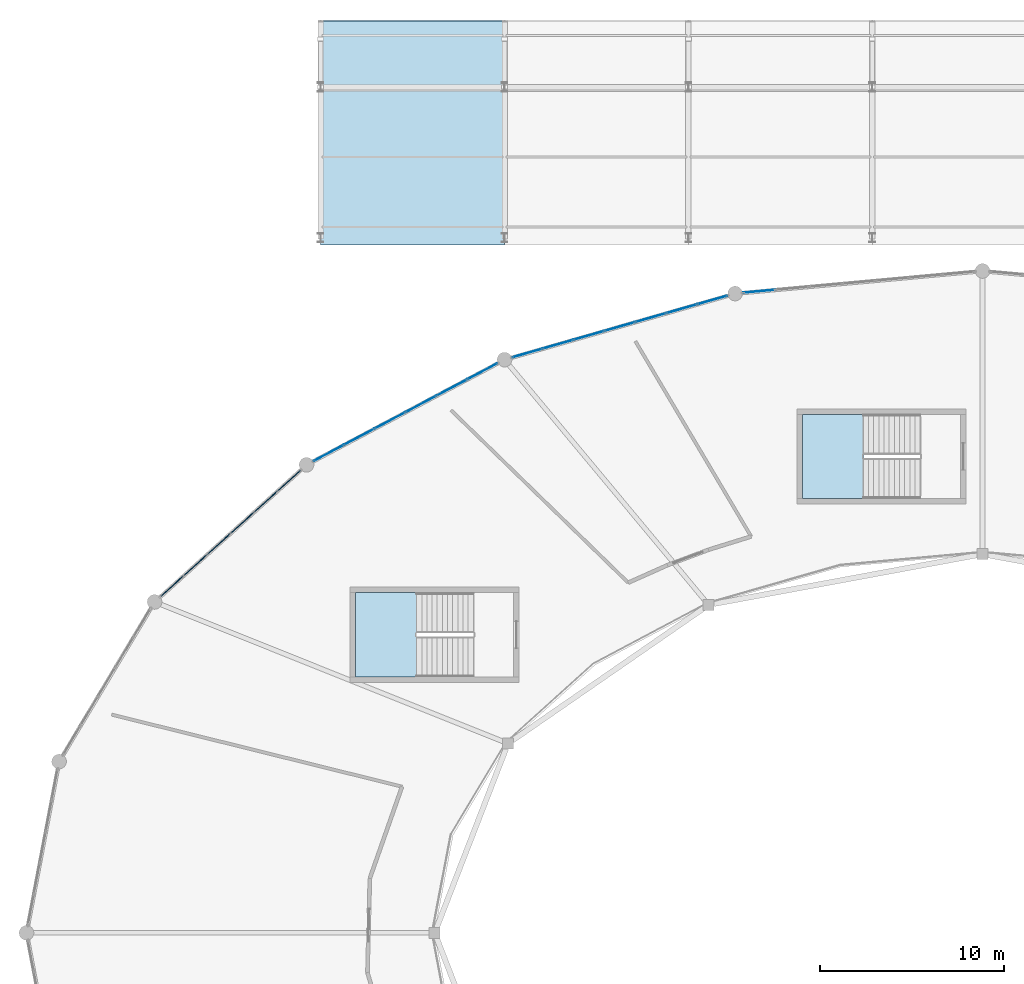
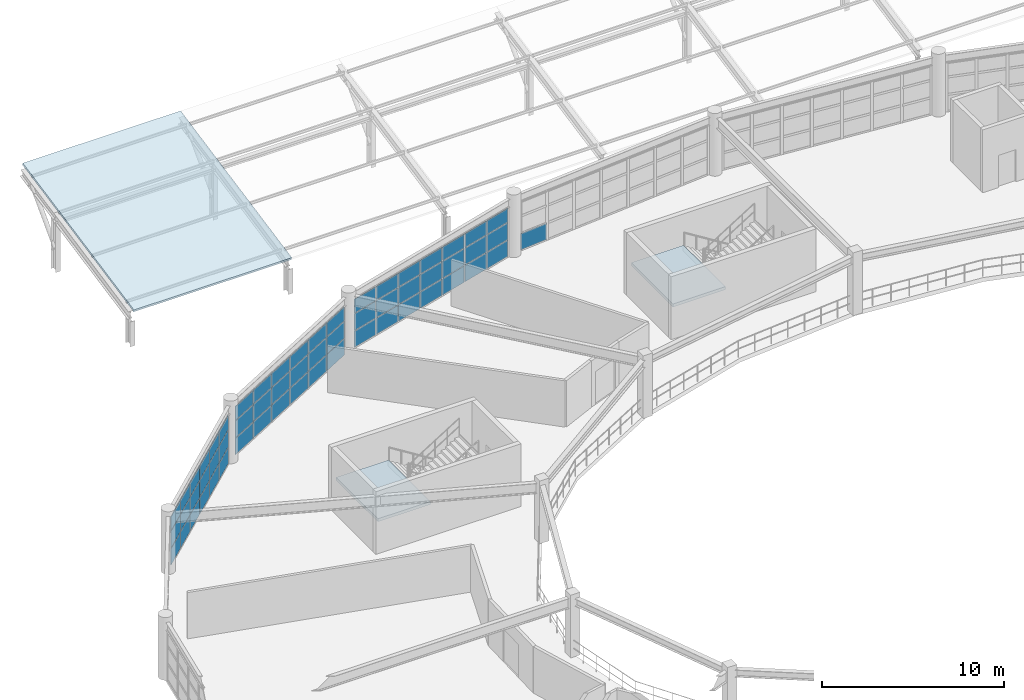
# One storey, part 66 of 100: 58 plates, 3 slabs, 7 elements without a shape of their own.
"""IFC4 building model written with IfcOpenShell, lengths in metres."""

from ifc_helpers import new_model, si_unit, direction, frame, origin, origin_2d, place, context, subcontext, project, spatial, polyline, rectangle, outline, extrude, material, layer, layer_set, type_object, element, aggregate, save


model = new_model("IFC4")

# Units and contexts
model_context = context("Model", 3, precision=1e-05, world=origin(), true_north=direction((0.0, 1.0)))
body_context = subcontext(model_context, "Body", "Model", "MODEL_VIEW")
ifc_project = project(units=[si_unit("LENGTHUNIT", "METRE"), si_unit("AREAUNIT", "SQUARE_METRE"), si_unit("VOLUMEUNIT", "CUBIC_METRE"), si_unit("PLANEANGLEUNIT", "RADIAN"), si_unit("MASSUNIT", "GRAM", prefix="KILO")], contexts=[model_context])

# Site, building, storey
site_placement = place(None, origin())
site = spatial("IfcSite", under=ifc_project, at=site_placement, CompositionType="ELEMENT")
building_placement = place(site_placement, origin())
building = spatial("IfcBuilding", under=site, at=building_placement, Name="Kivolera Central Railway Station", CompositionType="ELEMENT")
storey_placement = place(building_placement, frame((0.0, 0.0, 5.39990234375)))
storey = spatial("IfcBuildingStorey", under=building, at=storey_placement, Name="L01", CompositionType="ELEMENT", Elevation=5.39990234375)

# Curtain wall, plate
ifc_material_1 = material(Name="Anodised aluminium", Category="aluminium")
ifc_layer_1 = layer(ifc_material_1, 0.179931640625, Name="Anodised aluminium")
ifc_layer_set_1 = layer_set([ifc_layer_1], Name="Anodised aluminium")
curtain_wall_type_1 = type_object("IfcCurtainWallType", Name="CW-SYS-12", PredefinedType="NOTDEFINED", material=ifc_layer_set_1)
curtain_wall_1_placement = place(storey_placement, origin())
curtain_wall_1 = element("IfcCurtainWall", 1, at=curtain_wall_1_placement, inside=storey, type_object=curtain_wall_type_1, Name="L01 Curtain Wall CW-L01-OVL-06", PredefinedType="NOTDEFINED")
ifc_material_2 = material(Name="Double low-E laminated glass", Category="glass")
ifc_layer_2 = layer(ifc_material_2, 0.030029296875, Name="Double low-E laminated glass")
ifc_layer_set_2 = layer_set([ifc_layer_2], Name="Double low-E laminated glass")
plate_type_1 = type_object("IfcPlateType", Name="CWP-GLZ-2", PredefinedType="CURTAIN_PANEL", material=ifc_layer_set_2)
plate_1_placement = place(storey_placement, frame((51.86083984375, 124.89306640625, 0.05810546875), z_axis=(0.0, 0.0, 1.0), x_axis=(0.995866087555, 0.090833560193, 0.0)))
plate_1 = element("IfcPlate", 2, at=plate_1_placement, type_object=plate_type_1, Name="CW-12 panel 1.1", PredefinedType="CURTAIN_PANEL", context=body_context, shape_type="SweptSolid", body=[
    extrude(rectangle(XDim=1.735595703125, YDim=0.030029296875, at=origin_2d()), origin(), (0.0, 0.0, 1.0), 1.087890625),
])
aggregate(curtain_wall_1, [plate_1])

# Curtain wall, plates
ifc_layer_3 = layer(ifc_material_1, 0.179931640625, Name="Anodised aluminium")
ifc_layer_set_3 = layer_set([ifc_layer_3], Name="Anodised aluminium")
curtain_wall_type_2 = type_object("IfcCurtainWallType", Name="CW-SYS-10", PredefinedType="NOTDEFINED", material=ifc_layer_set_3)
curtain_wall_2_placement = place(storey_placement, origin())
curtain_wall_2 = element("IfcCurtainWall", 3, at=curtain_wall_2_placement, inside=storey, type_object=curtain_wall_type_2, Name="L01 Curtain Wall CW-L01-OVL-07", PredefinedType="NOTDEFINED")
ifc_layer_4 = layer(ifc_material_2, 0.033935546875, Name="Double low-E laminated glass")
ifc_layer_set_4 = layer_set([ifc_layer_4], Name="Double low-E laminated glass")
plate_type_2 = type_object("IfcPlateType", Name="CWP-GLZ-3", PredefinedType="CURTAIN_PANEL", material=ifc_layer_set_4)
plate_2_placement = place(storey_placement, frame((39.24267578125, 121.532958984375, 0.05810546875), z_axis=(0.0, 0.0, 1.0), x_axis=(0.961246112288, 0.275691696668, 0.0)))
plate_2 = element("IfcPlate", 4, at=plate_2_placement, type_object=plate_type_2, Name="CW-10 panel 1.1", PredefinedType="CURTAIN_PANEL", context=body_context, shape_type="SweptSolid", body=[
    extrude(rectangle(XDim=1.66845703125, YDim=0.033935546875, at=origin_2d()), origin(), (0.0, 0.0, 1.0), 1.087890625),
])
plate_3_placement = place(storey_placement, frame((39.24267578125, 121.532958984375, 1.192138671875), z_axis=(0.0, 0.0, 1.0), x_axis=(0.961246112288, 0.275691696668, 0.0)))
plate_3 = element("IfcPlate", 5, at=plate_3_placement, type_object=plate_type_2, Name="CW-10 panel 1.2", PredefinedType="CURTAIN_PANEL", context=body_context, shape_type="SweptSolid", body=[
    extrude(rectangle(XDim=1.66845703125, YDim=0.033935546875, at=origin_2d()), origin(), (0.0, 0.0, 1.0), 1.123046875),
])
plate_4_placement = place(storey_placement, frame((39.24267578125, 121.532958984375, 2.361083984375), z_axis=(0.0, 0.0, 1.0), x_axis=(0.961246112288, 0.275691696668, 0.0)))
plate_4 = element("IfcPlate", 6, at=plate_4_placement, type_object=plate_type_2, Name="CW-10 panel 1.3", PredefinedType="CURTAIN_PANEL", context=body_context, shape_type="SweptSolid", body=[
    extrude(rectangle(XDim=1.66845703125, YDim=0.033935546875, at=origin_2d()), origin(), (0.0, 0.0, 1.0), 0.9208984375),
])
plate_5_placement = place(storey_placement, frame((40.907470703125, 122.010498046875, 0.05810546875), z_axis=(0.0, 0.0, 1.0), x_axis=(0.961246112288, 0.275691696668, 0.0)))
plate_5 = element("IfcPlate", 7, at=plate_5_placement, type_object=plate_type_2, Name="CW-10 panel 2.1", PredefinedType="CURTAIN_PANEL", context=body_context, shape_type="SweptSolid", body=[
    extrude(rectangle(XDim=1.703369140625, YDim=0.033935546875, at=origin_2d()), origin(), (0.0, 0.0, 1.0), 1.087890625),
])
plate_6_placement = place(storey_placement, frame((40.907470703125, 122.010498046875, 1.192138671875), z_axis=(0.0, 0.0, 1.0), x_axis=(0.961246112288, 0.275691696668, 0.0)))
plate_6 = element("IfcPlate", 8, at=plate_6_placement, type_object=plate_type_2, Name="CW-10 panel 2.2", PredefinedType="CURTAIN_PANEL", context=body_context, shape_type="SweptSolid", body=[
    extrude(rectangle(XDim=1.703369140625, YDim=0.033935546875, at=origin_2d()), origin(), (0.0, 0.0, 1.0), 1.123046875),
])
plate_7_placement = place(storey_placement, frame((40.907470703125, 122.010498046875, 2.361083984375), z_axis=(0.0, 0.0, 1.0), x_axis=(0.961246112288, 0.275691696668, 0.0)))
plate_7 = element("IfcPlate", 9, at=plate_7_placement, type_object=plate_type_2, Name="CW-10 panel 2.3", PredefinedType="CURTAIN_PANEL", context=body_context, shape_type="SweptSolid", body=[
    extrude(rectangle(XDim=1.703369140625, YDim=0.033935546875, at=origin_2d()), origin(), (0.0, 0.0, 1.0), 0.9208984375),
])
plate_8_placement = place(storey_placement, frame((42.5888671875, 122.49267578125, 0.05810546875), z_axis=(0.0, 0.0, 1.0), x_axis=(0.961246112288, 0.275691696668, 0.0)))
plate_8 = element("IfcPlate", 10, at=plate_8_placement, type_object=plate_type_2, Name="CW-10 panel 3.1", PredefinedType="CURTAIN_PANEL", context=body_context, shape_type="SweptSolid", body=[
    extrude(rectangle(XDim=1.703369140625, YDim=0.033935546875, at=origin_2d()), origin(), (0.0, 0.0, 1.0), 1.087890625),
])
plate_9_placement = place(storey_placement, frame((42.5888671875, 122.49267578125, 1.192138671875), z_axis=(0.0, 0.0, 1.0), x_axis=(0.961246112288, 0.275691696668, 0.0)))
plate_9 = element("IfcPlate", 11, at=plate_9_placement, type_object=plate_type_2, Name="CW-10 panel 3.2", PredefinedType="CURTAIN_PANEL", context=body_context, shape_type="SweptSolid", body=[
    extrude(rectangle(XDim=1.703369140625, YDim=0.033935546875, at=origin_2d()), origin(), (0.0, 0.0, 1.0), 1.123046875),
])
plate_10_placement = place(storey_placement, frame((42.5888671875, 122.49267578125, 2.361083984375), z_axis=(0.0, 0.0, 1.0), x_axis=(0.961246112288, 0.275691696668, 0.0)))
plate_10 = element("IfcPlate", 12, at=plate_10_placement, type_object=plate_type_2, Name="CW-10 panel 3.3", PredefinedType="CURTAIN_PANEL", context=body_context, shape_type="SweptSolid", body=[
    extrude(rectangle(XDim=1.703369140625, YDim=0.033935546875, at=origin_2d()), origin(), (0.0, 0.0, 1.0), 0.9208984375),
])
plate_11_placement = place(storey_placement, frame((44.2705078125, 122.97509765625, 0.05810546875), z_axis=(0.0, 0.0, 1.0), x_axis=(0.961246112288, 0.275691696668, 0.0)))
plate_11 = element("IfcPlate", 13, at=plate_11_placement, type_object=plate_type_2, Name="CW-10 panel 4.1", PredefinedType="CURTAIN_PANEL", context=body_context, shape_type="SweptSolid", body=[
    extrude(rectangle(XDim=1.703369140625, YDim=0.033935546875, at=origin_2d()), origin(), (0.0, 0.0, 1.0), 1.087890625),
])
plate_12_placement = place(storey_placement, frame((44.2705078125, 122.97509765625, 1.192138671875), z_axis=(0.0, 0.0, 1.0), x_axis=(0.961246112288, 0.275691696668, 0.0)))
plate_12 = element("IfcPlate", 14, at=plate_12_placement, type_object=plate_type_2, Name="CW-10 panel 4.2", PredefinedType="CURTAIN_PANEL", context=body_context, shape_type="SweptSolid", body=[
    extrude(rectangle(XDim=1.703369140625, YDim=0.033935546875, at=origin_2d()), origin(), (0.0, 0.0, 1.0), 1.123046875),
])
plate_13_placement = place(storey_placement, frame((44.2705078125, 122.97509765625, 2.361083984375), z_axis=(0.0, 0.0, 1.0), x_axis=(0.961246112288, 0.275691696668, 0.0)))
plate_13 = element("IfcPlate", 15, at=plate_13_placement, type_object=plate_type_2, Name="CW-10 panel 4.3", PredefinedType="CURTAIN_PANEL", context=body_context, shape_type="SweptSolid", body=[
    extrude(rectangle(XDim=1.703369140625, YDim=0.033935546875, at=origin_2d()), origin(), (0.0, 0.0, 1.0), 0.9208984375),
])
plate_14_placement = place(storey_placement, frame((45.9521484375, 123.457275390625, 0.05810546875), z_axis=(0.0, 0.0, 1.0), x_axis=(0.961246112288, 0.275691696668, 0.0)))
plate_14 = element("IfcPlate", 16, at=plate_14_placement, type_object=plate_type_2, Name="CW-10 panel 5.1", PredefinedType="CURTAIN_PANEL", context=body_context, shape_type="SweptSolid", body=[
    extrude(rectangle(XDim=1.703369140625, YDim=0.033935546875, at=origin_2d()), origin(), (0.0, 0.0, 1.0), 1.087890625),
])
plate_15_placement = place(storey_placement, frame((45.9521484375, 123.457275390625, 1.192138671875), z_axis=(0.0, 0.0, 1.0), x_axis=(0.961246112288, 0.275691696668, 0.0)))
plate_15 = element("IfcPlate", 17, at=plate_15_placement, type_object=plate_type_2, Name="CW-10 panel 5.2", PredefinedType="CURTAIN_PANEL", context=body_context, shape_type="SweptSolid", body=[
    extrude(rectangle(XDim=1.703369140625, YDim=0.033935546875, at=origin_2d()), origin(), (0.0, 0.0, 1.0), 1.123046875),
])
plate_16_placement = place(storey_placement, frame((45.9521484375, 123.457275390625, 2.361083984375), z_axis=(0.0, 0.0, 1.0), x_axis=(0.961246112288, 0.275691696668, 0.0)))
plate_16 = element("IfcPlate", 18, at=plate_16_placement, type_object=plate_type_2, Name="CW-10 panel 5.3", PredefinedType="CURTAIN_PANEL", context=body_context, shape_type="SweptSolid", body=[
    extrude(rectangle(XDim=1.703369140625, YDim=0.033935546875, at=origin_2d()), origin(), (0.0, 0.0, 1.0), 0.9208984375),
])
plate_17_placement = place(storey_placement, frame((47.633544921875, 123.939453125, 0.05810546875), z_axis=(0.0, 0.0, 1.0), x_axis=(0.961246112288, 0.275691696668, 0.0)))
plate_17 = element("IfcPlate", 19, at=plate_17_placement, type_object=plate_type_2, Name="CW-10 panel 6.1", PredefinedType="CURTAIN_PANEL", context=body_context, shape_type="SweptSolid", body=[
    extrude(rectangle(XDim=1.703369140625, YDim=0.033935546875, at=origin_2d()), origin(), (0.0, 0.0, 1.0), 1.087890625),
])
plate_18_placement = place(storey_placement, frame((47.633544921875, 123.939453125, 1.192138671875), z_axis=(0.0, 0.0, 1.0), x_axis=(0.961246112288, 0.275691696668, 0.0)))
plate_18 = element("IfcPlate", 20, at=plate_18_placement, type_object=plate_type_2, Name="CW-10 panel 6.2", PredefinedType="CURTAIN_PANEL", context=body_context, shape_type="SweptSolid", body=[
    extrude(rectangle(XDim=1.703369140625, YDim=0.033935546875, at=origin_2d()), origin(), (0.0, 0.0, 1.0), 1.123046875),
])
plate_19_placement = place(storey_placement, frame((47.633544921875, 123.939453125, 2.361083984375), z_axis=(0.0, 0.0, 1.0), x_axis=(0.961246112288, 0.275691696668, 0.0)))
plate_19 = element("IfcPlate", 21, at=plate_19_placement, type_object=plate_type_2, Name="CW-10 panel 6.3", PredefinedType="CURTAIN_PANEL", context=body_context, shape_type="SweptSolid", body=[
    extrude(rectangle(XDim=1.703369140625, YDim=0.033935546875, at=origin_2d()), origin(), (0.0, 0.0, 1.0), 0.9208984375),
])
plate_20_placement = place(storey_placement, frame((49.29833984375, 124.4169921875, 0.05810546875), z_axis=(0.0, 0.0, 1.0), x_axis=(0.961246112288, 0.275691696668, 0.0)))
plate_20 = element("IfcPlate", 22, at=plate_20_placement, type_object=plate_type_2, Name="CW-10 panel 7.1", PredefinedType="CURTAIN_PANEL", context=body_context, shape_type="SweptSolid", body=[
    extrude(rectangle(XDim=1.66845703125, YDim=0.033935546875, at=origin_2d()), origin(), (0.0, 0.0, 1.0), 1.087890625),
])
plate_21_placement = place(storey_placement, frame((49.29833984375, 124.4169921875, 1.192138671875), z_axis=(0.0, 0.0, 1.0), x_axis=(0.961246112288, 0.275691696668, 0.0)))
plate_21 = element("IfcPlate", 23, at=plate_21_placement, type_object=plate_type_2, Name="CW-10 panel 7.2", PredefinedType="CURTAIN_PANEL", context=body_context, shape_type="SweptSolid", body=[
    extrude(rectangle(XDim=1.66845703125, YDim=0.033935546875, at=origin_2d()), origin(), (0.0, 0.0, 1.0), 1.123046875),
])
plate_22_placement = place(storey_placement, frame((49.29833984375, 124.4169921875, 2.361083984375), z_axis=(0.0, 0.0, 1.0), x_axis=(0.961246112288, 0.275691696668, 0.0)))
plate_22 = element("IfcPlate", 24, at=plate_22_placement, type_object=plate_type_2, Name="CW-10 panel 7.3", PredefinedType="CURTAIN_PANEL", context=body_context, shape_type="SweptSolid", body=[
    extrude(rectangle(XDim=1.66845703125, YDim=0.033935546875, at=origin_2d()), origin(), (0.0, 0.0, 1.0), 0.9208984375),
])
aggregate(curtain_wall_2, [plate_2, plate_3, plate_4, plate_5, plate_6, plate_7, plate_8, plate_9, plate_10, plate_11, plate_12, plate_13, plate_14, plate_15, plate_16, plate_17, plate_18, plate_19, plate_20, plate_21, plate_22])

ifc_layer_5 = layer(ifc_material_1, 0.179931640625, Name="Anodised aluminium")
ifc_layer_set_5 = layer_set([ifc_layer_5], Name="Anodised aluminium")
curtain_wall_type_3 = type_object("IfcCurtainWallType", Name="CW-SYS-08", PredefinedType="NOTDEFINED", material=ifc_layer_set_5)
curtain_wall_3_placement = place(storey_placement, origin())
curtain_wall_3 = element("IfcCurtainWall", 25, at=curtain_wall_3_placement, inside=storey, type_object=curtain_wall_type_3, Name="L01 Curtain Wall CW-L01-OVL-08", PredefinedType="NOTDEFINED")
ifc_layer_6 = layer(ifc_material_2, 0.0380859375, Name="Double low-E laminated glass")
ifc_layer_set_6 = layer_set([ifc_layer_6], Name="Double low-E laminated glass")
plate_type_3 = type_object("IfcPlateType", Name="CWP-GLZ-4", PredefinedType="CURTAIN_PANEL", material=ifc_layer_set_6)
plate_23_placement = place(storey_placement, frame((28.43701171875, 116.09765625, 0.05810546875), z_axis=(0.0, 0.0, 1.0), x_axis=(0.883170250772, 0.46905256438, 0.0)))
plate_23 = element("IfcPlate", 26, at=plate_23_placement, type_object=plate_type_3, Name="CW-08 panel 1.1", PredefinedType="CURTAIN_PANEL", context=body_context, shape_type="SweptSolid", body=[
    extrude(rectangle(XDim=1.818115234375, YDim=0.0380859375, at=origin_2d()), origin(), (0.0, 0.0, 1.0), 1.087890625),
])
plate_24_placement = place(storey_placement, frame((28.43701171875, 116.09765625, 1.192138671875), z_axis=(0.0, 0.0, 1.0), x_axis=(0.883170250772, 0.46905256438, 0.0)))
plate_24 = element("IfcPlate", 27, at=plate_24_placement, type_object=plate_type_3, Name="CW-08 panel 1.2", PredefinedType="CURTAIN_PANEL", context=body_context, shape_type="SweptSolid", body=[
    extrude(rectangle(XDim=1.818115234375, YDim=0.0380859375, at=origin_2d()), origin(), (0.0, 0.0, 1.0), 1.123046875),
])
plate_25_placement = place(storey_placement, frame((28.43701171875, 116.09765625, 2.361083984375), z_axis=(0.0, 0.0, 1.0), x_axis=(0.883170250772, 0.46905256438, 0.0)))
plate_25 = element("IfcPlate", 28, at=plate_25_placement, type_object=plate_type_3, Name="CW-08 panel 1.3", PredefinedType="CURTAIN_PANEL", context=body_context, shape_type="SweptSolid", body=[
    extrude(rectangle(XDim=1.818115234375, YDim=0.0380859375, at=origin_2d()), origin(), (0.0, 0.0, 1.0), 0.9208984375),
])
plate_26_placement = place(storey_placement, frame((30.09912109375, 116.980224609375, 0.05810546875), z_axis=(0.0, 0.0, 1.0), x_axis=(0.883170250772, 0.46905256438, 0.0)))
plate_26 = element("IfcPlate", 29, at=plate_26_placement, type_object=plate_type_3, Name="CW-08 panel 2.1", PredefinedType="CURTAIN_PANEL", context=body_context, shape_type="SweptSolid", body=[
    extrude(rectangle(XDim=1.853271484375, YDim=0.0380859375, at=origin_2d()), origin(), (0.0, 0.0, 1.0), 1.087890625),
])
plate_27_placement = place(storey_placement, frame((30.09912109375, 116.980224609375, 1.192138671875), z_axis=(0.0, 0.0, 1.0), x_axis=(0.883170250772, 0.46905256438, 0.0)))
plate_27 = element("IfcPlate", 30, at=plate_27_placement, type_object=plate_type_3, Name="CW-08 panel 2.2", PredefinedType="CURTAIN_PANEL", context=body_context, shape_type="SweptSolid", body=[
    extrude(rectangle(XDim=1.853271484375, YDim=0.0380859375, at=origin_2d()), origin(), (0.0, 0.0, 1.0), 1.123046875),
])
plate_28_placement = place(storey_placement, frame((30.09912109375, 116.980224609375, 2.361083984375), z_axis=(0.0, 0.0, 1.0), x_axis=(0.883170250772, 0.46905256438, 0.0)))
plate_28 = element("IfcPlate", 31, at=plate_28_placement, type_object=plate_type_3, Name="CW-08 panel 2.3", PredefinedType="CURTAIN_PANEL", context=body_context, shape_type="SweptSolid", body=[
    extrude(rectangle(XDim=1.853271484375, YDim=0.0380859375, at=origin_2d()), origin(), (0.0, 0.0, 1.0), 0.9208984375),
])
plate_29_placement = place(storey_placement, frame((31.7763671875, 117.87109375, 0.05810546875), z_axis=(0.0, 0.0, 1.0), x_axis=(0.883170250772, 0.46905256438, 0.0)))
plate_29 = element("IfcPlate", 32, at=plate_29_placement, type_object=plate_type_3, Name="CW-08 panel 3.1", PredefinedType="CURTAIN_PANEL", context=body_context, shape_type="SweptSolid", body=[
    extrude(rectangle(XDim=1.853271484375, YDim=0.0380859375, at=origin_2d()), origin(), (0.0, 0.0, 1.0), 1.087890625),
])
plate_30_placement = place(storey_placement, frame((31.7763671875, 117.87109375, 1.192138671875), z_axis=(0.0, 0.0, 1.0), x_axis=(0.883170250772, 0.46905256438, 0.0)))
plate_30 = element("IfcPlate", 33, at=plate_30_placement, type_object=plate_type_3, Name="CW-08 panel 3.2", PredefinedType="CURTAIN_PANEL", context=body_context, shape_type="SweptSolid", body=[
    extrude(rectangle(XDim=1.853271484375, YDim=0.0380859375, at=origin_2d()), origin(), (0.0, 0.0, 1.0), 1.123046875),
])
plate_31_placement = place(storey_placement, frame((31.7763671875, 117.87109375, 2.361083984375), z_axis=(0.0, 0.0, 1.0), x_axis=(0.883170250772, 0.46905256438, 0.0)))
plate_31 = element("IfcPlate", 34, at=plate_31_placement, type_object=plate_type_3, Name="CW-08 panel 3.3", PredefinedType="CURTAIN_PANEL", context=body_context, shape_type="SweptSolid", body=[
    extrude(rectangle(XDim=1.853271484375, YDim=0.0380859375, at=origin_2d()), origin(), (0.0, 0.0, 1.0), 0.9208984375),
])
plate_32_placement = place(storey_placement, frame((33.45361328125, 118.761962890625, 0.05810546875), z_axis=(0.0, 0.0, 1.0), x_axis=(0.883170250772, 0.46905256438, 0.0)))
plate_32 = element("IfcPlate", 35, at=plate_32_placement, type_object=plate_type_3, Name="CW-08 panel 4.1", PredefinedType="CURTAIN_PANEL", context=body_context, shape_type="SweptSolid", body=[
    extrude(rectangle(XDim=1.853271484375, YDim=0.0380859375, at=origin_2d()), origin(), (0.0, 0.0, 1.0), 1.087890625),
])
plate_33_placement = place(storey_placement, frame((33.45361328125, 118.761962890625, 1.192138671875), z_axis=(0.0, 0.0, 1.0), x_axis=(0.883170250772, 0.46905256438, 0.0)))
plate_33 = element("IfcPlate", 36, at=plate_33_placement, type_object=plate_type_3, Name="CW-08 panel 4.2", PredefinedType="CURTAIN_PANEL", context=body_context, shape_type="SweptSolid", body=[
    extrude(rectangle(XDim=1.853271484375, YDim=0.0380859375, at=origin_2d()), origin(), (0.0, 0.0, 1.0), 1.123046875),
])
plate_34_placement = place(storey_placement, frame((33.45361328125, 118.761962890625, 2.361083984375), z_axis=(0.0, 0.0, 1.0), x_axis=(0.883170250772, 0.46905256438, 0.0)))
plate_34 = element("IfcPlate", 37, at=plate_34_placement, type_object=plate_type_3, Name="CW-08 panel 4.3", PredefinedType="CURTAIN_PANEL", context=body_context, shape_type="SweptSolid", body=[
    extrude(rectangle(XDim=1.853271484375, YDim=0.0380859375, at=origin_2d()), origin(), (0.0, 0.0, 1.0), 0.9208984375),
])
plate_35_placement = place(storey_placement, frame((35.131103515625, 119.65283203125, 0.05810546875), z_axis=(0.0, 0.0, 1.0), x_axis=(0.883170250772, 0.46905256438, 0.0)))
plate_35 = element("IfcPlate", 38, at=plate_35_placement, type_object=plate_type_3, Name="CW-08 panel 5.1", PredefinedType="CURTAIN_PANEL", context=body_context, shape_type="SweptSolid", body=[
    extrude(rectangle(XDim=1.853271484375, YDim=0.0380859375, at=origin_2d()), origin(), (0.0, 0.0, 1.0), 1.087890625),
])
plate_36_placement = place(storey_placement, frame((35.131103515625, 119.65283203125, 1.192138671875), z_axis=(0.0, 0.0, 1.0), x_axis=(0.883170250772, 0.46905256438, 0.0)))
plate_36 = element("IfcPlate", 39, at=plate_36_placement, type_object=plate_type_3, Name="CW-08 panel 5.2", PredefinedType="CURTAIN_PANEL", context=body_context, shape_type="SweptSolid", body=[
    extrude(rectangle(XDim=1.853271484375, YDim=0.0380859375, at=origin_2d()), origin(), (0.0, 0.0, 1.0), 1.123046875),
])
plate_37_placement = place(storey_placement, frame((35.131103515625, 119.65283203125, 2.361083984375), z_axis=(0.0, 0.0, 1.0), x_axis=(0.883170250772, 0.46905256438, 0.0)))
plate_37 = element("IfcPlate", 40, at=plate_37_placement, type_object=plate_type_3, Name="CW-08 panel 5.3", PredefinedType="CURTAIN_PANEL", context=body_context, shape_type="SweptSolid", body=[
    extrude(rectangle(XDim=1.853271484375, YDim=0.0380859375, at=origin_2d()), origin(), (0.0, 0.0, 1.0), 0.9208984375),
])
plate_38_placement = place(storey_placement, frame((36.79296875, 120.535400390625, 0.05810546875), z_axis=(0.0, 0.0, 1.0), x_axis=(0.883170250772, 0.46905256438, 0.0)))
plate_38 = element("IfcPlate", 41, at=plate_38_placement, type_object=plate_type_3, Name="CW-08 panel 6.1", PredefinedType="CURTAIN_PANEL", context=body_context, shape_type="SweptSolid", body=[
    extrude(rectangle(XDim=1.818115234375, YDim=0.0380859375, at=origin_2d()), origin(), (0.0, 0.0, 1.0), 1.087890625),
])
plate_39_placement = place(storey_placement, frame((36.79296875, 120.535400390625, 1.192138671875), z_axis=(0.0, 0.0, 1.0), x_axis=(0.883170250772, 0.46905256438, 0.0)))
plate_39 = element("IfcPlate", 42, at=plate_39_placement, type_object=plate_type_3, Name="CW-08 panel 6.2", PredefinedType="CURTAIN_PANEL", context=body_context, shape_type="SweptSolid", body=[
    extrude(rectangle(XDim=1.818115234375, YDim=0.0380859375, at=origin_2d()), origin(), (0.0, 0.0, 1.0), 1.123046875),
])
plate_40_placement = place(storey_placement, frame((36.79296875, 120.535400390625, 2.361083984375), z_axis=(0.0, 0.0, 1.0), x_axis=(0.883170250772, 0.46905256438, 0.0)))
plate_40 = element("IfcPlate", 43, at=plate_40_placement, type_object=plate_type_3, Name="CW-08 panel 6.3", PredefinedType="CURTAIN_PANEL", context=body_context, shape_type="SweptSolid", body=[
    extrude(rectangle(XDim=1.818115234375, YDim=0.0380859375, at=origin_2d()), origin(), (0.0, 0.0, 1.0), 0.9208984375),
])
aggregate(curtain_wall_3, [plate_23, plate_24, plate_25, plate_26, plate_27, plate_28, plate_29, plate_30, plate_31, plate_32, plate_33, plate_34, plate_35, plate_36, plate_37, plate_38, plate_39, plate_40])

ifc_layer_7 = layer(ifc_material_1, 0.179931640625, Name="Anodised aluminium")
ifc_layer_set_7 = layer_set([ifc_layer_7], Name="Anodised aluminium")
curtain_wall_type_4 = type_object("IfcCurtainWallType", Name="CW-SYS-05", PredefinedType="NOTDEFINED", material=ifc_layer_set_7)
curtain_wall_4_placement = place(storey_placement, origin())
curtain_wall_4 = element("IfcCurtainWall", 44, at=curtain_wall_4_placement, inside=storey, type_object=curtain_wall_type_4, Name="L01 Curtain Wall CW-L01-OVL-09", PredefinedType="NOTDEFINED")
ifc_layer_8 = layer(ifc_material_2, 0.0419921875, Name="Double low-E laminated glass")
ifc_layer_set_8 = layer_set([ifc_layer_8], Name="Double low-E laminated glass")
plate_type_4 = type_object("IfcPlateType", Name="CWP-GLZ-5", PredefinedType="CURTAIN_PANEL", material=ifc_layer_set_8)
plate_41_placement = place(storey_placement, frame((19.916015625, 108.8564453125, 0.05810546875), z_axis=(0.0, 0.0, 1.0), x_axis=(0.742431873669, 0.669921572246, 0.0)))
plate_41 = element("IfcPlate", 45, at=plate_41_placement, type_object=plate_type_4, Name="CW-05 panel 1.1", PredefinedType="CURTAIN_PANEL", context=body_context, shape_type="SweptSolid", body=[
    extrude(rectangle(XDim=1.640625, YDim=0.0419921875, at=origin_2d()), origin(), (0.0, 0.0, 1.0), 1.087890625),
])
plate_42_placement = place(storey_placement, frame((19.916015625, 108.8564453125, 1.192138671875), z_axis=(0.0, 0.0, 1.0), x_axis=(0.742431873669, 0.669921572246, 0.0)))
plate_42 = element("IfcPlate", 46, at=plate_42_placement, type_object=plate_type_4, Name="CW-05 panel 1.2", PredefinedType="CURTAIN_PANEL", context=body_context, shape_type="SweptSolid", body=[
    extrude(rectangle(XDim=1.640625, YDim=0.0419921875, at=origin_2d()), origin(), (0.0, 0.0, 1.0), 1.123046875),
])
plate_43_placement = place(storey_placement, frame((19.916015625, 108.8564453125, 2.361083984375), z_axis=(0.0, 0.0, 1.0), x_axis=(0.742431873669, 0.669921572246, 0.0)))
plate_43 = element("IfcPlate", 47, at=plate_43_placement, type_object=plate_type_4, Name="CW-05 panel 1.3", PredefinedType="CURTAIN_PANEL", context=body_context, shape_type="SweptSolid", body=[
    extrude(rectangle(XDim=1.640625, YDim=0.0419921875, at=origin_2d()), origin(), (0.0, 0.0, 1.0), 0.9208984375),
])
plate_44_placement = place(storey_placement, frame((21.18115234375, 109.998046875, 0.05810546875), z_axis=(0.0, 0.0, 1.0), x_axis=(0.742431873669, 0.669921572246, 0.0)))
plate_44 = element("IfcPlate", 48, at=plate_44_placement, type_object=plate_type_4, Name="CW-05 panel 2.1", PredefinedType="CURTAIN_PANEL", context=body_context, shape_type="SweptSolid", body=[
    extrude(rectangle(XDim=1.675537109375, YDim=0.0419921875, at=origin_2d()), origin(), (0.0, 0.0, 1.0), 1.087890625),
])
plate_45_placement = place(storey_placement, frame((21.18115234375, 109.998046875, 1.192138671875), z_axis=(0.0, 0.0, 1.0), x_axis=(0.742431873669, 0.669921572246, 0.0)))
plate_45 = element("IfcPlate", 49, at=plate_45_placement, type_object=plate_type_4, Name="CW-05 panel 2.2", PredefinedType="CURTAIN_PANEL", context=body_context, shape_type="SweptSolid", body=[
    extrude(rectangle(XDim=1.675537109375, YDim=0.0419921875, at=origin_2d()), origin(), (0.0, 0.0, 1.0), 1.123046875),
])
plate_46_placement = place(storey_placement, frame((21.18115234375, 109.998046875, 2.361083984375), z_axis=(0.0, 0.0, 1.0), x_axis=(0.742431873669, 0.669921572246, 0.0)))
plate_46 = element("IfcPlate", 50, at=plate_46_placement, type_object=plate_type_4, Name="CW-05 panel 2.3", PredefinedType="CURTAIN_PANEL", context=body_context, shape_type="SweptSolid", body=[
    extrude(rectangle(XDim=1.675537109375, YDim=0.0419921875, at=origin_2d()), origin(), (0.0, 0.0, 1.0), 0.9208984375),
])
plate_47_placement = place(storey_placement, frame((22.45947265625, 111.1513671875, 0.05810546875), z_axis=(0.0, 0.0, 1.0), x_axis=(0.742431873669, 0.669921572246, 0.0)))
plate_47 = element("IfcPlate", 51, at=plate_47_placement, type_object=plate_type_4, Name="CW-05 panel 3.1", PredefinedType="CURTAIN_PANEL", context=body_context, shape_type="SweptSolid", body=[
    extrude(rectangle(XDim=1.675537109375, YDim=0.0419921875, at=origin_2d()), origin(), (0.0, 0.0, 1.0), 1.087890625),
])
plate_48_placement = place(storey_placement, frame((22.45947265625, 111.1513671875, 1.192138671875), z_axis=(0.0, 0.0, 1.0), x_axis=(0.742431873669, 0.669921572246, 0.0)))
plate_48 = element("IfcPlate", 52, at=plate_48_placement, type_object=plate_type_4, Name="CW-05 panel 3.2", PredefinedType="CURTAIN_PANEL", context=body_context, shape_type="SweptSolid", body=[
    extrude(rectangle(XDim=1.675537109375, YDim=0.0419921875, at=origin_2d()), origin(), (0.0, 0.0, 1.0), 1.123046875),
])
plate_49_placement = place(storey_placement, frame((22.45947265625, 111.1513671875, 2.361083984375), z_axis=(0.0, 0.0, 1.0), x_axis=(0.742431873669, 0.669921572246, 0.0)))
plate_49 = element("IfcPlate", 53, at=plate_49_placement, type_object=plate_type_4, Name="CW-05 panel 3.3", PredefinedType="CURTAIN_PANEL", context=body_context, shape_type="SweptSolid", body=[
    extrude(rectangle(XDim=1.675537109375, YDim=0.0419921875, at=origin_2d()), origin(), (0.0, 0.0, 1.0), 0.9208984375),
])
plate_50_placement = place(storey_placement, frame((23.737548828125, 112.3046875, 0.05810546875), z_axis=(0.0, 0.0, 1.0), x_axis=(0.742431873669, 0.669921572246, 0.0)))
plate_50 = element("IfcPlate", 54, at=plate_50_placement, type_object=plate_type_4, Name="CW-05 panel 4.1", PredefinedType="CURTAIN_PANEL", context=body_context, shape_type="SweptSolid", body=[
    extrude(rectangle(XDim=1.675537109375, YDim=0.0419921875, at=origin_2d()), origin(), (0.0, 0.0, 1.0), 1.087890625),
])
plate_51_placement = place(storey_placement, frame((23.737548828125, 112.3046875, 1.192138671875), z_axis=(0.0, 0.0, 1.0), x_axis=(0.742431873669, 0.669921572246, 0.0)))
plate_51 = element("IfcPlate", 55, at=plate_51_placement, type_object=plate_type_4, Name="CW-05 panel 4.2", PredefinedType="CURTAIN_PANEL", context=body_context, shape_type="SweptSolid", body=[
    extrude(rectangle(XDim=1.675537109375, YDim=0.0419921875, at=origin_2d()), origin(), (0.0, 0.0, 1.0), 1.123046875),
])
plate_52_placement = place(storey_placement, frame((23.737548828125, 112.3046875, 2.361083984375), z_axis=(0.0, 0.0, 1.0), x_axis=(0.742431873669, 0.669921572246, 0.0)))
plate_52 = element("IfcPlate", 56, at=plate_52_placement, type_object=plate_type_4, Name="CW-05 panel 4.3", PredefinedType="CURTAIN_PANEL", context=body_context, shape_type="SweptSolid", body=[
    extrude(rectangle(XDim=1.675537109375, YDim=0.0419921875, at=origin_2d()), origin(), (0.0, 0.0, 1.0), 0.9208984375),
])
plate_53_placement = place(storey_placement, frame((25.015869140625, 113.4580078125, 0.05810546875), z_axis=(0.0, 0.0, 1.0), x_axis=(0.742431873669, 0.669921572246, 0.0)))
plate_53 = element("IfcPlate", 57, at=plate_53_placement, type_object=plate_type_4, Name="CW-05 panel 5.1", PredefinedType="CURTAIN_PANEL", context=body_context, shape_type="SweptSolid", body=[
    extrude(rectangle(XDim=1.675537109375, YDim=0.0419921875, at=origin_2d()), origin(), (0.0, 0.0, 1.0), 1.087890625),
])
plate_54_placement = place(storey_placement, frame((25.015869140625, 113.4580078125, 1.192138671875), z_axis=(0.0, 0.0, 1.0), x_axis=(0.742431873669, 0.669921572246, 0.0)))
plate_54 = element("IfcPlate", 58, at=plate_54_placement, type_object=plate_type_4, Name="CW-05 panel 5.2", PredefinedType="CURTAIN_PANEL", context=body_context, shape_type="SweptSolid", body=[
    extrude(rectangle(XDim=1.675537109375, YDim=0.0419921875, at=origin_2d()), origin(), (0.0, 0.0, 1.0), 1.123046875),
])
plate_55_placement = place(storey_placement, frame((25.015869140625, 113.4580078125, 2.361083984375), z_axis=(0.0, 0.0, 1.0), x_axis=(0.742431873669, 0.669921572246, 0.0)))
plate_55 = element("IfcPlate", 59, at=plate_55_placement, type_object=plate_type_4, Name="CW-05 panel 5.3", PredefinedType="CURTAIN_PANEL", context=body_context, shape_type="SweptSolid", body=[
    extrude(rectangle(XDim=1.675537109375, YDim=0.0419921875, at=origin_2d()), origin(), (0.0, 0.0, 1.0), 0.9208984375),
])
plate_56_placement = place(storey_placement, frame((26.281005859375, 114.599609375, 0.05810546875), z_axis=(0.0, 0.0, 1.0), x_axis=(0.742431873669, 0.669921572246, 0.0)))
plate_56 = element("IfcPlate", 60, at=plate_56_placement, type_object=plate_type_4, Name="CW-05 panel 6.1", PredefinedType="CURTAIN_PANEL", context=body_context, shape_type="SweptSolid", body=[
    extrude(rectangle(XDim=1.640625, YDim=0.0419921875, at=origin_2d()), origin(), (0.0, 0.0, 1.0), 1.087890625),
])
plate_57_placement = place(storey_placement, frame((26.281005859375, 114.599609375, 1.192138671875), z_axis=(0.0, 0.0, 1.0), x_axis=(0.742431873669, 0.669921572246, 0.0)))
plate_57 = element("IfcPlate", 61, at=plate_57_placement, type_object=plate_type_4, Name="CW-05 panel 6.2", PredefinedType="CURTAIN_PANEL", context=body_context, shape_type="SweptSolid", body=[
    extrude(rectangle(XDim=1.640625, YDim=0.0419921875, at=origin_2d()), origin(), (0.0, 0.0, 1.0), 1.123046875),
])
plate_58_placement = place(storey_placement, frame((26.281005859375, 114.599609375, 2.361083984375), z_axis=(0.0, 0.0, 1.0), x_axis=(0.742431873669, 0.669921572246, 0.0)))
plate_58 = element("IfcPlate", 62, at=plate_58_placement, type_object=plate_type_4, Name="CW-05 panel 6.3", PredefinedType="CURTAIN_PANEL", context=body_context, shape_type="SweptSolid", body=[
    extrude(rectangle(XDim=1.640625, YDim=0.0419921875, at=origin_2d()), origin(), (0.0, 0.0, 1.0), 0.9208984375),
])
aggregate(curtain_wall_4, [plate_41, plate_42, plate_43, plate_44, plate_45, plate_46, plate_47, plate_48, plate_49, plate_50, plate_51, plate_52, plate_53, plate_54, plate_55, plate_56, plate_57, plate_58])

# Roof, slab
ifc_material_3 = material(Name="Steel S355", Category="steel")
roof_type = type_object("IfcRoofType", Name="ROOF-SYS-2", PredefinedType="SHED_ROOF", material=ifc_material_3)
roof_placement = place(storey_placement, origin())
roof = element("IfcRoof", 63, at=roof_placement, inside=storey, type_object=roof_type, Name="Forecourt Interchange Sloped Steel Canopy Roof", PredefinedType="SHED_ROOF")
ifc_material_4 = material(Name="Precast concrete C40/50", Category="concrete")
ifc_layer_9 = layer(ifc_material_4, 0.14990234375, Name="Precast concrete C40/50")
ifc_layer_set_9 = layer_set([ifc_layer_9], Name="Precast concrete C40/50")
slab_type_1 = type_object("IfcSlabType", Name="SLB-CAN-150", PredefinedType="ROOF", material=ifc_layer_set_9)
slab_1_placement = place(storey_placement, frame((28.0, 127.39990234375, 2.52001953125), z_axis=(0.0, -0.196127455831, 0.980578411484), x_axis=(1.0, 0.0, 0.0)))
slab_1 = element("IfcSlab", 64, at=slab_1_placement, type_object=slab_type_1, Name="Forecourt Canopy Sloped Roof Panel 28", PredefinedType="ROOF", context=body_context, shape_type="SweptSolid", body=[
    extrude(outline(polyline([(0.0, 0.0), (10.0, 0.0), (10.0, 12.441835522394781), (0.0, 12.441835522394781), (0.0, 0.0)])), origin(), (0.0, 0.0, -1.0), 0.14990234375),
])
aggregate(roof, [slab_1])

# Stair, slab
ifc_material_5 = material(Name="Concrete C40/50", Category="concrete")
stair_type = type_object("IfcStairType", Name="STR-2200-24", PredefinedType="HALF_TURN_STAIR", material=ifc_material_5)
stair_1_placement = place(storey_placement, origin())
stair_1 = element("IfcStair", 65, at=stair_1_placement, inside=storey, type_object=stair_type, Name="L01 North Concourse Exit Stair ST5", PredefinedType="HALF_TURN_STAIR")
ifc_layer_10 = layer(ifc_material_5, 0.199951171875, Name="Concrete C40/50")
ifc_layer_set_10 = layer_set([ifc_layer_10], Name="Concrete C40/50")
slab_type_2 = type_object("IfcSlabType", Name="SLB-LND-200", PredefinedType="LANDING", material=ifc_layer_set_10)
slab_2_placement = place(storey_placement, frame((0.0, 0.0, 1.900146484375)))
slab_2 = element("IfcSlab", 66, at=slab_2_placement, type_object=slab_type_2, Name="ST5 landing 1", PredefinedType="LANDING", context=body_context, shape_type="SweptSolid", body=[
    extrude(outline(polyline([(57.52001953125, 118.199951171875), (54.199951171875, 118.199951171875), (54.199951171875, 113.6201171875), (57.52001953125, 113.6201171875), (57.52001953125, 118.199951171875)])), origin(), (0.0, 0.0, 1.0), 0.199951171875),
])
aggregate(stair_1, [slab_2])

stair_2_placement = place(storey_placement, origin())
stair_2 = element("IfcStair", 67, at=stair_2_placement, inside=storey, type_object=stair_type, Name="L01 West Concourse Exit Stair ST6", PredefinedType="HALF_TURN_STAIR")
slab_3_placement = place(storey_placement, frame((0.0, 0.0, 1.900146484375)))
slab_3 = element("IfcSlab", 68, at=slab_3_placement, type_object=slab_type_2, Name="ST6 landing 1", PredefinedType="LANDING", context=body_context, shape_type="SweptSolid", body=[
    extrude(outline(polyline([(33.219970703125, 108.5), (29.89990234375, 108.5), (29.89990234375, 103.919921875), (33.219970703125, 103.919921875), (33.219970703125, 108.5)])), origin(), (0.0, 0.0, 1.0), 0.199951171875),
])
aggregate(stair_2, [slab_3])

save(model, "model.ifc")
